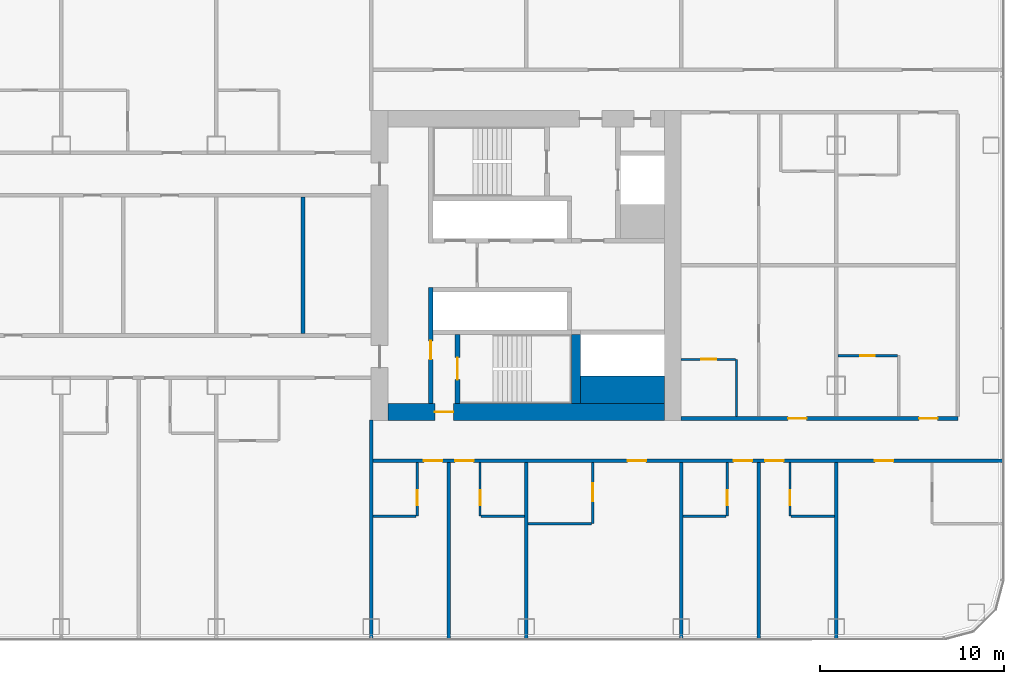
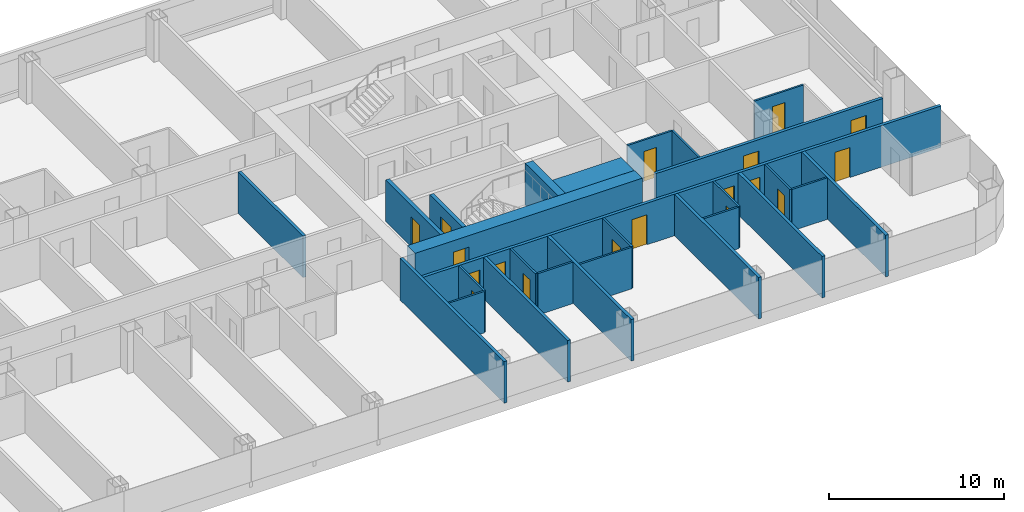
# One storey, part 18 of 29: 27 walls, 18 doors, 18 openings.
"""IFC4 building model written with IfcOpenShell, lengths in metres."""

from ifc_helpers import new_model, si_unit, direction, frame, frame_2d, origin, place, context, subcontext, project, spatial, rectangle, extrude, material, layer, layer_set, type_object, element, fill, save


model = new_model("IFC4")

# Units and contexts
model_context = context("Model", 3, precision=1e-05, world=origin(), true_north=direction((0.0, 1.0)))
body_context = subcontext(model_context, "Body", "Model", "MODEL_VIEW")
ifc_project = project(units=[si_unit("LENGTHUNIT", "METRE"), si_unit("AREAUNIT", "SQUARE_METRE"), si_unit("VOLUMEUNIT", "CUBIC_METRE"), si_unit("PLANEANGLEUNIT", "RADIAN"), si_unit("MASSUNIT", "GRAM", prefix="KILO")], contexts=[model_context])

# Site, building, storey
site_placement = place(None, origin())
site = spatial("IfcSite", under=ifc_project, at=site_placement, CompositionType="ELEMENT")
building_placement = place(site_placement, origin())
building = spatial("IfcBuilding", under=site, at=building_placement, Name="Hakoniwa Tower and Hamabe Station Hall", CompositionType="ELEMENT")
storey_placement = place(building_placement, frame((0.0, 0.0, 61.39990234375)))
storey = spatial("IfcBuildingStorey", under=building, at=storey_placement, Name="L17", CompositionType="ELEMENT", Elevation=61.39990234375)

# Walls
ifc_material_1 = material(Name="Gypsum board partition", Category="gypsum")
ifc_layer_1 = layer(ifc_material_1, 0.125)
ifc_layer_set_1 = layer_set([ifc_layer_1], Name="Bathroom Partition 125")
wall_type_1 = type_object("IfcWallType", Name="Bathroom Partition 125", PredefinedType="PARTITIONING", material=ifc_layer_set_1)
wall_1_placement = place(storey_placement, frame((25.300048828125, -14.0, 0.0), z_axis=(0.0, 0.0, 1.0), x_axis=(1.0, 0.0, 0.0)))
element("IfcWall", 1, at=wall_1_placement, inside=storey, type_object=wall_type_1, Name="GW-L17-003", PredefinedType="PARTITIONING", context=body_context, shape_type="SweptSolid", body=[
    extrude(rectangle(XDim=3.4375, YDim=0.125, at=frame_2d((1.71875, 0.0))), origin(), (0.0, 0.0, 1.0), 2.900146484375),
])
for number, where, z_axis, x_axis, name in (
    (2, (16.89990234375, -13.60009765625, 0.0), (0.0, 0.0, 1.0), (1.0, 0.0, 0.0), "GW-L17-009"),
    (3, (22.762451171875, -13.60009765625, 0.0), (0.0, 0.0, 1.0), (1.0, 0.0, 0.0), "GW-L17-010"),
    (4, (33.699951171875, -13.60009765625, 0.0), (0.0, 0.0, 1.0), (1.0, 0.0, 0.0), "GW-L17-011"),
):
    element("IfcWall", number, at=place(storey_placement, frame(where, z_axis=z_axis, x_axis=x_axis)), inside=storey, type_object=wall_type_1, Name=name, PredefinedType="PARTITIONING", context=body_context, shape_type="SweptSolid", body=[
        extrude(rectangle(XDim=2.337646484375, YDim=0.125, at=frame_2d((1.1689453125, 0.0))), origin(), (0.0, 0.0, 1.0), 2.900146484375),
    ])
wall_2_placement = place(storey_placement, frame((39.5625, -13.60009765625, 0.0), z_axis=(0.0, 0.0, 1.0), x_axis=(1.0, 0.0, 0.0)))
element("IfcWall", 5, at=wall_2_placement, inside=storey, type_object=wall_type_1, Name="GW-L17-012", PredefinedType="PARTITIONING", context=body_context, shape_type="SweptSolid", body=[
    extrude(rectangle(XDim=2.33740234375, YDim=0.125, at=frame_2d((1.168701171875, 0.0))), origin(), (0.0, 0.0, 1.0), 2.900146484375),
])

# Wall, opening, door
wall_3_placement = place(storey_placement, frame((33.60009765625, -5.10009765625, 0.0), z_axis=(0.0, 0.0, 1.0), x_axis=(1.0, 0.0, 0.0)))
wall_3 = element("IfcWall", 6, at=wall_3_placement, inside=storey, type_object=wall_type_1, Name="GW-L17-024", PredefinedType="PARTITIONING", context=body_context, shape_type="SweptSolid", body=[
    extrude(rectangle(XDim=2.9375, YDim=0.125, at=frame_2d((1.46875, 0.0))), origin(), (0.0, 0.0, 1.0), 2.900146484375),
])
opening_1_placement = place(wall_3_placement, frame((1.10009765625, 0.0, 0.0)))
opening_1 = element("IfcOpeningElement", 7, at=opening_1_placement, cuts=wall_3, Name="Opening GD-G1D2-27", PredefinedType="OPENING", context=body_context, shape_type="SweptSolid", body=[
    extrude(rectangle(XDim=0.800048828125, YDim=2.10009765625, at=frame_2d((0.39990234375, 1.050048828125))), frame((0.0, 0.072509765625, 0.0), z_axis=(0.0, -1.0, 0.0), x_axis=(1.0, 0.0, 0.0)), (0.0, 0.0, 1.0), 0.14501953125),
])
ifc_material_2 = material(Name="Timber door leaf", Category="wood")
door_type_1 = type_object("IfcDoorType", Name="Bathroom Door 800", OperationType="SINGLE_SWING_LEFT", PredefinedType="DOOR", material=ifc_material_2)
door_1_placement = place(opening_1_placement, origin())
door_1 = element("IfcDoor", 8, at=door_1_placement, inside=storey, type_object=door_type_1, Name="Door GD-G1D2-27", OperationType="SINGLE_SWING_RIGHT", OverallHeight=2.10009765625, OverallWidth=0.800048828125, PredefinedType="DOOR", context=body_context, shape_type="SweptSolid", body=[
    extrude(rectangle(XDim=0.800048828125, YDim=2.10009765625, at=frame_2d((0.39990234375, 1.050048828125))), frame((0.0, 0.02490234375, 0.0), z_axis=(0.0, -1.0, 0.0), x_axis=(1.0, 0.0, 0.0)), (0.0, 0.0, 1.0), 0.050048828125),
])
fill(opening_1, door_1)

wall_4_placement = place(storey_placement, frame((42.10009765625, -4.89990234375, 0.0), z_axis=(0.0, 0.0, 1.0), x_axis=(1.0, 0.0, 0.0)))
wall_4 = element("IfcWall", 9, at=wall_4_placement, inside=storey, type_object=wall_type_1, Name="GW-L17-026", PredefinedType="PARTITIONING", context=body_context, shape_type="SweptSolid", body=[
    extrude(rectangle(XDim=3.2373046875, YDim=0.125, at=frame_2d((1.61865234375, 0.0))), origin(), (0.0, 0.0, 1.0), 2.900146484375),
])
opening_2_placement = place(wall_4_placement, frame((1.199951171875, 0.0, 0.0)))
opening_2 = element("IfcOpeningElement", 10, at=opening_2_placement, cuts=wall_4, Name="Opening GD-G1D2-29", PredefinedType="OPENING", context=body_context, shape_type="SweptSolid", body=[
    extrude(rectangle(XDim=0.800048828125, YDim=2.10009765625, at=frame_2d((0.39990234375, 1.050048828125))), frame((0.0, 0.072509765625, 0.0), z_axis=(0.0, -1.0, 0.0), x_axis=(1.0, 0.0, 0.0)), (0.0, 0.0, 1.0), 0.14501953125),
])
door_2_placement = place(opening_2_placement, origin())
door_2 = element("IfcDoor", 11, at=door_2_placement, inside=storey, type_object=door_type_1, Name="Door GD-G1D2-29", OperationType="SINGLE_SWING_RIGHT", OverallHeight=2.10009765625, OverallWidth=0.800048828125, PredefinedType="DOOR", context=body_context, shape_type="SweptSolid", body=[
    extrude(rectangle(XDim=0.800048828125, YDim=2.10009765625, at=frame_2d((0.39990234375, 1.050048828125))), frame((0.0, 0.02490234375, 0.0), z_axis=(0.0, -1.0, 0.0), x_axis=(1.0, 0.0, 0.0)), (0.0, 0.0, 1.0), 0.050048828125),
])
fill(opening_2, door_2)

wall_5_placement = place(storey_placement, frame((19.300048828125, -13.60009765625, 0.0), z_axis=(0.0, 0.0, 1.0), x_axis=(0.0, 1.0, 0.0)))
wall_5 = element("IfcWall", 12, at=wall_5_placement, inside=storey, type_object=wall_type_1, Name="GW-L17-098", PredefinedType="PARTITIONING", context=body_context, shape_type="SweptSolid", body=[
    extrude(rectangle(XDim=2.900146484375, YDim=0.125, at=frame_2d((1.4501953125, 0.0))), origin(), (0.0, 0.0, 1.0), 2.900146484375),
])
opening_3_placement = place(wall_5_placement, frame((0.60009765625, 0.0, 0.0)))
opening_3 = element("IfcOpeningElement", 13, at=opening_3_placement, cuts=wall_5, Name="Opening GD-G1D2-76", PredefinedType="OPENING", context=body_context, shape_type="SweptSolid", body=[
    extrude(rectangle(XDim=0.800048828125, YDim=2.10009765625, at=frame_2d((0.39990234375, 1.050048828125))), frame((0.0, 0.072509765625, 0.0), z_axis=(0.0, -1.0, 0.0), x_axis=(1.0, 0.0, 0.0)), (0.0, 0.0, 1.0), 0.14501953125),
])
door_3_placement = place(opening_3_placement, origin())
door_3 = element("IfcDoor", 14, at=door_3_placement, inside=storey, type_object=door_type_1, Name="Door GD-G1D2-76", OperationType="SINGLE_SWING_RIGHT", OverallHeight=2.10009765625, OverallWidth=0.800048828125, PredefinedType="DOOR", context=body_context, shape_type="SweptSolid", body=[
    extrude(rectangle(XDim=0.800048828125, YDim=2.10009765625, at=frame_2d((0.39990234375, 1.050048828125))), frame((0.0, 0.02490234375, 0.0), z_axis=(0.0, -1.0, 0.0), x_axis=(1.0, 0.0, 0.0)), (0.0, 0.0, 1.0), 0.050048828125),
])
fill(opening_3, door_3)

wall_6_placement = place(storey_placement, frame((22.699951171875, -13.60009765625, 0.0), z_axis=(0.0, 0.0, 1.0), x_axis=(0.0, 1.0, 0.0)))
wall_6 = element("IfcWall", 15, at=wall_6_placement, inside=storey, type_object=wall_type_1, Name="GW-L17-100", PredefinedType="PARTITIONING", context=body_context, shape_type="SweptSolid", body=[
    extrude(rectangle(XDim=2.900146484375, YDim=0.125, at=frame_2d((1.4501953125, 0.0))), origin(), (0.0, 0.0, 1.0), 2.900146484375),
])
opening_4_placement = place(wall_6_placement, frame((0.60009765625, 0.0, 0.0)))
opening_4 = element("IfcOpeningElement", 16, at=opening_4_placement, cuts=wall_6, Name="Opening GD-G1D2-77", PredefinedType="OPENING", context=body_context, shape_type="SweptSolid", body=[
    extrude(rectangle(XDim=0.800048828125, YDim=2.10009765625, at=frame_2d((0.39990234375, 1.050048828125))), frame((0.0, 0.072509765625, 0.0), z_axis=(0.0, -1.0, 0.0), x_axis=(1.0, 0.0, 0.0)), (0.0, 0.0, 1.0), 0.14501953125),
])
door_4_placement = place(opening_4_placement, origin())
door_4 = element("IfcDoor", 17, at=door_4_placement, inside=storey, type_object=door_type_1, Name="Door GD-G1D2-77", OperationType="SINGLE_SWING_LEFT", OverallHeight=2.10009765625, OverallWidth=0.800048828125, PredefinedType="DOOR", context=body_context, shape_type="SweptSolid", body=[
    extrude(rectangle(XDim=0.800048828125, YDim=2.10009765625, at=frame_2d((0.39990234375, 1.050048828125))), frame((0.0, 0.02490234375, 0.0), z_axis=(0.0, -1.0, 0.0), x_axis=(1.0, 0.0, 0.0)), (0.0, 0.0, 1.0), 0.050048828125),
])
fill(opening_4, door_4)

wall_7_placement = place(storey_placement, frame((28.800048828125, -14.0, 0.0), z_axis=(0.0, 0.0, 1.0), x_axis=(0.0, 1.0, 0.0)))
wall_7 = element("IfcWall", 18, at=wall_7_placement, inside=storey, type_object=wall_type_1, Name="GW-L17-103", PredefinedType="PARTITIONING", context=body_context, shape_type="SweptSolid", body=[
    extrude(rectangle(XDim=3.300048828125, YDim=0.125, at=frame_2d((1.64990234375, 0.0))), origin(), (0.0, 0.0, 1.0), 2.900146484375),
])
opening_5_placement = place(wall_7_placement, frame((1.199951171875, 0.0, 0.0)))
opening_5 = element("IfcOpeningElement", 19, at=opening_5_placement, cuts=wall_7, Name="Opening GD-G1D2-78", PredefinedType="OPENING", context=body_context, shape_type="SweptSolid", body=[
    extrude(rectangle(XDim=1.0, YDim=2.10009765625, at=frame_2d((0.5, 1.050048828125))), frame((0.0, 0.072509765625, 0.0), z_axis=(0.0, -1.0, 0.0), x_axis=(1.0, 0.0, 0.0)), (0.0, 0.0, 1.0), 0.14501953125),
])
ifc_material_3 = material(Name="Timber door leaf", Category="wood")
door_type_2 = type_object("IfcDoorType", Name="Accessible Bathroom Door 1000", OperationType="SINGLE_SWING_LEFT", PredefinedType="DOOR", material=ifc_material_3)
door_5_placement = place(opening_5_placement, origin())
door_5 = element("IfcDoor", 20, at=door_5_placement, inside=storey, type_object=door_type_2, Name="Door GD-G1D2-78", OperationType="SINGLE_SWING_LEFT", OverallHeight=2.10009765625, OverallWidth=1.0, PredefinedType="DOOR", context=body_context, shape_type="SweptSolid", body=[
    extrude(rectangle(XDim=1.0, YDim=2.10009765625, at=frame_2d((0.5, 1.050048828125))), frame((0.0, 0.02490234375, 0.0), z_axis=(0.0, -1.0, 0.0), x_axis=(1.0, 0.0, 0.0)), (0.0, 0.0, 1.0), 0.050048828125),
])
fill(opening_5, door_5)

wall_8_placement = place(storey_placement, frame((36.10009765625, -13.60009765625, 0.0), z_axis=(0.0, 0.0, 1.0), x_axis=(0.0, 1.0, 0.0)))
wall_8 = element("IfcWall", 21, at=wall_8_placement, inside=storey, type_object=wall_type_1, Name="GW-L17-106", PredefinedType="PARTITIONING", context=body_context, shape_type="SweptSolid", body=[
    extrude(rectangle(XDim=2.900146484375, YDim=0.125, at=frame_2d((1.4501953125, 0.0))), origin(), (0.0, 0.0, 1.0), 2.900146484375),
])
opening_6_placement = place(wall_8_placement, frame((0.60009765625, 0.0, 0.0)))
opening_6 = element("IfcOpeningElement", 22, at=opening_6_placement, cuts=wall_8, Name="Opening GD-G1D2-79", PredefinedType="OPENING", context=body_context, shape_type="SweptSolid", body=[
    extrude(rectangle(XDim=0.800048828125, YDim=2.10009765625, at=frame_2d((0.39990234375, 1.050048828125))), frame((0.0, 0.072509765625, 0.0), z_axis=(0.0, -1.0, 0.0), x_axis=(1.0, 0.0, 0.0)), (0.0, 0.0, 1.0), 0.14501953125),
])
door_6_placement = place(opening_6_placement, origin())
door_6 = element("IfcDoor", 23, at=door_6_placement, inside=storey, type_object=door_type_1, Name="Door GD-G1D2-79", OperationType="SINGLE_SWING_RIGHT", OverallHeight=2.10009765625, OverallWidth=0.800048828125, PredefinedType="DOOR", context=body_context, shape_type="SweptSolid", body=[
    extrude(rectangle(XDim=0.800048828125, YDim=2.10009765625, at=frame_2d((0.39990234375, 1.050048828125))), frame((0.0, 0.02490234375, 0.0), z_axis=(0.0, -1.0, 0.0), x_axis=(1.0, 0.0, 0.0)), (0.0, 0.0, 1.0), 0.050048828125),
])
fill(opening_6, door_6)

# Wall
wall_9_placement = place(storey_placement, frame((36.60009765625, -8.199951171875, 0.0), z_axis=(0.0, 0.0, 1.0), x_axis=(0.0, 1.0, 0.0)))
element("IfcWall", 24, at=wall_9_placement, inside=storey, type_object=wall_type_1, Name="GW-L17-107", PredefinedType="PARTITIONING", context=body_context, shape_type="SweptSolid", body=[
    extrude(rectangle(XDim=3.099853515625, YDim=0.125, at=frame_2d((1.5498046875, 0.0))), origin(), (0.0, 0.0, 1.0), 2.900146484375),
])

# Wall, opening, door
wall_10_placement = place(storey_placement, frame((39.5, -13.60009765625, 0.0), z_axis=(0.0, 0.0, 1.0), x_axis=(0.0, 1.0, 0.0)))
wall_10 = element("IfcWall", 25, at=wall_10_placement, inside=storey, type_object=wall_type_1, Name="GW-L17-111", PredefinedType="PARTITIONING", context=body_context, shape_type="SweptSolid", body=[
    extrude(rectangle(XDim=2.900146484375, YDim=0.125, at=frame_2d((1.4501953125, 0.0))), origin(), (0.0, 0.0, 1.0), 2.900146484375),
])
opening_7_placement = place(wall_10_placement, frame((0.60009765625, 0.0, 0.0)))
opening_7 = element("IfcOpeningElement", 26, at=opening_7_placement, cuts=wall_10, Name="Opening GD-G1D2-82", PredefinedType="OPENING", context=body_context, shape_type="SweptSolid", body=[
    extrude(rectangle(XDim=0.800048828125, YDim=2.10009765625, at=frame_2d((0.39990234375, 1.050048828125))), frame((0.0, 0.072509765625, 0.0), z_axis=(0.0, -1.0, 0.0), x_axis=(1.0, 0.0, 0.0)), (0.0, 0.0, 1.0), 0.14501953125),
])
door_7_placement = place(opening_7_placement, origin())
door_7 = element("IfcDoor", 27, at=door_7_placement, inside=storey, type_object=door_type_1, Name="Door GD-G1D2-82", OperationType="SINGLE_SWING_LEFT", OverallHeight=2.10009765625, OverallWidth=0.800048828125, PredefinedType="DOOR", context=body_context, shape_type="SweptSolid", body=[
    extrude(rectangle(XDim=0.800048828125, YDim=2.10009765625, at=frame_2d((0.39990234375, 1.050048828125))), frame((0.0, 0.02490234375, 0.0), z_axis=(0.0, -1.0, 0.0), x_axis=(1.0, 0.0, 0.0)), (0.0, 0.0, 1.0), 0.050048828125),
])
fill(opening_7, door_7)

ifc_material_4 = material(Name="Concrete C80", Category="concrete")
ifc_layer_2 = layer(ifc_material_4, 0.89990234375)
ifc_layer_set_2 = layer_set([ifc_layer_2], Name="CORE WALL 900 C80")
wall_type_2 = type_object("IfcWallType", Name="CORE WALL 900 C80", PredefinedType="SHEAR", material=ifc_layer_set_2)
wall_11_placement = place(storey_placement, frame((17.699951171875, -7.949951171875, 0.0), z_axis=(0.0, 0.0, 1.0), x_axis=(1.0, 0.0, 0.0)))
wall_11 = element("IfcWall", 28, at=wall_11_placement, inside=storey, type_object=wall_type_2, Name="Core wall SOUTH east", PredefinedType="SHEAR", context=body_context, shape_type="SweptSolid", body=[
    extrude(rectangle(XDim=15.0, YDim=0.89990234375, at=frame_2d((7.5, 0.0))), origin(), (0.0, 0.0, 1.0), 2.900146484375),
])
opening_8_placement = place(wall_11_placement, frame((2.550048828125, 0.0, 0.0)))
opening_8 = element("IfcOpeningElement", 29, at=opening_8_placement, cuts=wall_11, Name="Opening CD-E-FS3-10", PredefinedType="OPENING", context=body_context, shape_type="SweptSolid", body=[
    extrude(rectangle(XDim=1.0, YDim=2.10009765625, at=frame_2d((0.5, 1.050048828125))), frame((0.0, 0.4599609375, 0.0), z_axis=(0.0, -1.0, 0.0), x_axis=(1.0, 0.0, 0.0)), (0.0, 0.0, 1.0), 0.919921875),
])
ifc_material_5 = material(Name="Steel fire door", Category="steel")
door_type_3 = type_object("IfcDoorType", Name="CORE DOOR 1000 FD60", OperationType="NOTDEFINED", PredefinedType="DOOR", material=ifc_material_5)
door_8_placement = place(opening_8_placement, origin())
door_8 = element("IfcDoor", 30, at=door_8_placement, inside=storey, type_object=door_type_3, Name="Stair vestibule door", OperationType="SINGLE_SWING_LEFT", OverallHeight=2.10009765625, OverallWidth=1.0, PredefinedType="DOOR", context=body_context, shape_type="SweptSolid", body=[
    extrude(rectangle(XDim=1.0, YDim=2.10009765625, at=frame_2d((0.5, 1.050048828125))), frame((0.0, 0.02490234375, 0.0), z_axis=(0.0, -1.0, 0.0), x_axis=(1.0, 0.0, 0.0)), (0.0, 0.0, 1.0), 0.050048828125),
])
fill(opening_8, door_8)

# Wall
ifc_material_6 = material(Name="Concrete C80", Category="concrete")
ifc_layer_3 = layer(ifc_material_6, 1.5)
ifc_layer_set_3 = layer_set([ifc_layer_3], Name="CORE WEB WALL 1500 C80")
wall_type_3 = type_object("IfcWallType", Name="CORE WEB WALL 1500 C80", PredefinedType="SHEAR", material=ifc_layer_set_3)
wall_12_placement = place(storey_placement, frame((28.14990234375, -6.75, 0.0), z_axis=(0.0, 0.0, 1.0), x_axis=(1.0, 0.0, 0.0)))
element("IfcWall", 31, at=wall_12_placement, inside=storey, type_object=wall_type_3, Name="Core wall SER east", PredefinedType="SHEAR", context=body_context, shape_type="SweptSolid", body=[
    extrude(rectangle(XDim=4.550048828125, YDim=1.5, at=frame_2d((2.27490234375, 0.0))), origin(), (0.0, 0.0, 1.0), 2.900146484375),
])

# Wall, opening, door
ifc_material_7 = material(Name="Concrete C80", Category="concrete")
ifc_layer_4 = layer(ifc_material_7, 0.25)
ifc_layer_set_4 = layer_set([ifc_layer_4], Name="CORE WEB WALL 250 C80")
wall_type_4 = type_object("IfcWallType", Name="CORE WEB WALL 250 C80", PredefinedType="SHEAR", material=ifc_layer_set_4)
wall_13_placement = place(storey_placement, frame((20.02490234375, -7.5, 0.0), z_axis=(0.0, 0.0, 1.0), x_axis=(0.0, 1.0, 0.0)))
wall_13 = element("IfcWall", 32, at=wall_13_placement, inside=storey, type_object=wall_type_4, Name="Core wall W1S east", PredefinedType="SHEAR", context=body_context, shape_type="SweptSolid", body=[
    extrude(rectangle(XDim=6.300048828125, YDim=0.25, at=frame_2d((3.14990234375, 0.0))), origin(), (0.0, 0.0, 1.0), 2.900146484375),
])
opening_9_placement = place(wall_13_placement, frame((2.39990234375, 0.0, 0.0)))
opening_9 = element("IfcOpeningElement", 33, at=opening_9_placement, cuts=wall_13, Name="Opening CD-E-VS-10", PredefinedType="OPENING", context=body_context, shape_type="SweptSolid", body=[
    extrude(rectangle(XDim=1.0, YDim=2.10009765625, at=frame_2d((0.5, 1.050048828125))), frame((0.0, 0.135009765625, 0.0), z_axis=(0.0, -1.0, 0.0), x_axis=(1.0, 0.0, 0.0)), (0.0, 0.0, 1.0), 0.27001953125),
])
door_9_placement = place(opening_9_placement, origin())
door_9 = element("IfcDoor", 34, at=door_9_placement, inside=storey, type_object=door_type_3, Name="Stair vestibule door", OperationType="SINGLE_SWING_RIGHT", OverallHeight=2.10009765625, OverallWidth=1.0, PredefinedType="DOOR", context=body_context, shape_type="SweptSolid", body=[
    extrude(rectangle(XDim=1.0, YDim=2.10009765625, at=frame_2d((0.5, 1.050048828125))), frame((0.0, 0.02490234375, 0.0), z_axis=(0.0, -1.0, 0.0), x_axis=(1.0, 0.0, 0.0)), (0.0, 0.0, 1.0), 0.050048828125),
])
fill(opening_9, door_9)

wall_14_placement = place(storey_placement, frame((21.47509765625, -7.5, 0.0), z_axis=(0.0, 0.0, 1.0), x_axis=(0.0, 1.0, 0.0)))
wall_14 = element("IfcWall", 35, at=wall_14_placement, inside=storey, type_object=wall_type_4, Name="Core wall VE east", PredefinedType="SHEAR", context=body_context, shape_type="SweptSolid", body=[
    extrude(rectangle(XDim=3.75, YDim=0.25, at=frame_2d((1.875, 0.0))), origin(), (0.0, 0.0, 1.0), 2.900146484375),
])
opening_10_placement = place(wall_14_placement, frame((1.300048828125, 0.0, 0.0)))
opening_10 = element("IfcOpeningElement", 36, at=opening_10_placement, cuts=wall_14, Name="Opening CD-E-SS-12", PredefinedType="OPENING", context=body_context, shape_type="SweptSolid", body=[
    extrude(rectangle(XDim=1.199951171875, YDim=2.10009765625, at=frame_2d((0.60009765625, 1.050048828125))), frame((0.0, 0.135009765625, 0.0), z_axis=(0.0, -1.0, 0.0), x_axis=(1.0, 0.0, 0.0)), (0.0, 0.0, 1.0), 0.27001953125),
])
ifc_material_8 = material(Name="Steel fire door", Category="steel")
door_type_4 = type_object("IfcDoorType", Name="CORE DOOR 1200 FD60", OperationType="DOUBLE_DOOR_SINGLE_SWING", PredefinedType="DOOR", material=ifc_material_8)
door_10_placement = place(opening_10_placement, origin())
door_10 = element("IfcDoor", 37, at=door_10_placement, inside=storey, type_object=door_type_4, Name="Escape stair door", OperationType="DOUBLE_DOOR_SINGLE_SWING", OverallHeight=2.10009765625, OverallWidth=1.199951171875, PredefinedType="DOOR", context=body_context, shape_type="SweptSolid", body=[
    extrude(rectangle(XDim=1.199951171875, YDim=2.10009765625, at=frame_2d((0.60009765625, 1.050048828125))), frame((0.0, 0.02490234375, 0.0), z_axis=(0.0, -1.0, 0.0), x_axis=(1.0, 0.0, 0.0)), (0.0, 0.0, 1.0), 0.050048828125),
])
fill(opening_10, door_10)

# Wall
ifc_material_9 = material(Name="Concrete C80", Category="concrete")
ifc_layer_5 = layer(ifc_material_9, 0.5)
ifc_layer_set_5 = layer_set([ifc_layer_5], Name="CORE WEB WALL 500 C80")
wall_type_5 = type_object("IfcWallType", Name="CORE WEB WALL 500 C80", PredefinedType="SHEAR", material=ifc_layer_set_5)
wall_15_placement = place(storey_placement, frame((27.89990234375, -7.5, 0.0), z_axis=(0.0, 0.0, 1.0), x_axis=(0.0, 1.0, 0.0)))
element("IfcWall", 38, at=wall_15_placement, inside=storey, type_object=wall_type_5, Name="Core wall SSE east", PredefinedType="SHEAR", context=body_context, shape_type="SweptSolid", body=[
    extrude(rectangle(XDim=3.75, YDim=0.5, at=frame_2d((1.875, 0.0))), origin(), (0.0, 0.0, 1.0), 2.900146484375),
])

# Wall, openings, doors
ifc_material_10 = material(Name="Fire-rated gypsum board partition", Category="gypsum")
ifc_layer_6 = layer(ifc_material_10, 0.199951171875)
ifc_layer_set_6 = layer_set([ifc_layer_6], Name="Corridor Wall 200")
wall_type_6 = type_object("IfcWallType", Name="Corridor Wall 200", PredefinedType="PARTITIONING", material=ifc_layer_set_6)
wall_16_placement = place(storey_placement, frame((16.800048828125, -10.60009765625, 0.0), z_axis=(0.0, 0.0, 1.0), x_axis=(1.0, 0.0, 0.0)))
wall_16 = element("IfcWall", 39, at=wall_16_placement, inside=storey, type_object=wall_type_6, Name="GW-L17-014", PredefinedType="PARTITIONING", context=body_context, shape_type="SweptSolid", body=[
    extrude(rectangle(XDim=34.300048828125, YDim=0.199951171875, at=frame_2d((17.14990234375, 0.0))), origin(), (0.0, 0.0, 1.0), 2.900146484375),
])
opening_11_placement = place(wall_16_placement, frame((2.85009765625, 0.0, 0.0)))
opening_11 = element("IfcOpeningElement", 40, at=opening_11_placement, cuts=wall_16, Name="Opening GD-G1D2-09", PredefinedType="OPENING", context=body_context, shape_type="SweptSolid", body=[
    extrude(rectangle(XDim=1.0, YDim=2.10009765625, at=frame_2d((0.5, 1.050048828125))), frame((0.0, 0.10986328125, 0.0), z_axis=(0.0, -1.0, 0.0), x_axis=(1.0, 0.0, 0.0)), (0.0, 0.0, 1.0), 0.219970703125),
])
opening_12_placement = place(wall_16_placement, frame((4.550048828125, 0.0, 0.0)))
opening_12 = element("IfcOpeningElement", 41, at=opening_12_placement, cuts=wall_16, Name="Opening GD-G1D2-10", PredefinedType="OPENING", context=body_context, shape_type="SweptSolid", body=[
    extrude(rectangle(XDim=1.0, YDim=2.10009765625, at=frame_2d((0.5, 1.050048828125))), frame((0.0, 0.10986328125, 0.0), z_axis=(0.0, -1.0, 0.0), x_axis=(1.0, 0.0, 0.0)), (0.0, 0.0, 1.0), 0.219970703125),
])
opening_13_placement = place(wall_16_placement, frame((13.89990234375, 0.0, 0.0)))
opening_13 = element("IfcOpeningElement", 42, at=opening_13_placement, cuts=wall_16, Name="Opening GD-G1D2-11", PredefinedType="OPENING", context=body_context, shape_type="SweptSolid", body=[
    extrude(rectangle(XDim=1.0, YDim=2.10009765625, at=frame_2d((0.5, 1.050048828125))), frame((0.0, 0.10986328125, 0.0), z_axis=(0.0, -1.0, 0.0), x_axis=(1.0, 0.0, 0.0)), (0.0, 0.0, 1.0), 0.219970703125),
])
opening_14_placement = place(wall_16_placement, frame((19.64990234375, 0.0, 0.0)))
opening_14 = element("IfcOpeningElement", 43, at=opening_14_placement, cuts=wall_16, Name="Opening GD-G1D2-12", PredefinedType="OPENING", context=body_context, shape_type="SweptSolid", body=[
    extrude(rectangle(XDim=1.0, YDim=2.10009765625, at=frame_2d((0.5, 1.050048828125))), frame((0.0, 0.10986328125, 0.0), z_axis=(0.0, -1.0, 0.0), x_axis=(1.0, 0.0, 0.0)), (0.0, 0.0, 1.0), 0.219970703125),
])
opening_15_placement = place(wall_16_placement, frame((21.35009765625, 0.0, 0.0)))
opening_15 = element("IfcOpeningElement", 44, at=opening_15_placement, cuts=wall_16, Name="Opening GD-G1D2-13", PredefinedType="OPENING", context=body_context, shape_type="SweptSolid", body=[
    extrude(rectangle(XDim=1.0, YDim=2.10009765625, at=frame_2d((0.5, 1.050048828125))), frame((0.0, 0.10986328125, 0.0), z_axis=(0.0, -1.0, 0.0), x_axis=(1.0, 0.0, 0.0)), (0.0, 0.0, 1.0), 0.219970703125),
])
opening_16_placement = place(wall_16_placement, frame((27.300048828125, 0.0, 0.0)))
opening_16 = element("IfcOpeningElement", 45, at=opening_16_placement, cuts=wall_16, Name="Opening GD-G1D2-14", PredefinedType="OPENING", context=body_context, shape_type="SweptSolid", body=[
    extrude(rectangle(XDim=1.0, YDim=2.10009765625, at=frame_2d((0.5, 1.050048828125))), frame((0.0, 0.10986328125, 0.0), z_axis=(0.0, -1.0, 0.0), x_axis=(1.0, 0.0, 0.0)), (0.0, 0.0, 1.0), 0.219970703125),
])
ifc_material_11 = material(Name="Timber door leaf", Category="wood")
door_type_5 = type_object("IfcDoorType", Name="Accessible Guest Entrance Door 1000", OperationType="SINGLE_SWING_LEFT", PredefinedType="DOOR", material=ifc_material_11)
door_11_placement = place(opening_13_placement, origin())
door_11 = element("IfcDoor", 46, at=door_11_placement, inside=storey, type_object=door_type_5, Name="Door GD-G1D2-11", OperationType="SINGLE_SWING_LEFT", OverallHeight=2.10009765625, OverallWidth=1.0, PredefinedType="DOOR", context=body_context, shape_type="SweptSolid", body=[
    extrude(rectangle(XDim=1.0, YDim=2.10009765625, at=frame_2d((0.5, 1.050048828125))), frame((0.0, 0.02490234375, 0.0), z_axis=(0.0, -1.0, 0.0), x_axis=(1.0, 0.0, 0.0)), (0.0, 0.0, 1.0), 0.050048828125),
])
fill(opening_13, door_11)
door_12_placement = place(opening_16_placement, origin())
door_12 = element("IfcDoor", 47, at=door_12_placement, inside=storey, type_object=door_type_5, Name="Door GD-G1D2-14", OperationType="SINGLE_SWING_RIGHT", OverallHeight=2.10009765625, OverallWidth=1.0, PredefinedType="DOOR", context=body_context, shape_type="SweptSolid", body=[
    extrude(rectangle(XDim=1.0, YDim=2.10009765625, at=frame_2d((0.5, 1.050048828125))), frame((0.0, 0.02490234375, 0.0), z_axis=(0.0, -1.0, 0.0), x_axis=(1.0, 0.0, 0.0)), (0.0, 0.0, 1.0), 0.050048828125),
])
fill(opening_16, door_12)
ifc_material_12 = material(Name="Timber door leaf", Category="wood")
door_type_6 = type_object("IfcDoorType", Name="Guest Entrance Door 1000", OperationType="SINGLE_SWING_LEFT", PredefinedType="DOOR", material=ifc_material_12)
door_13_placement = place(opening_11_placement, origin())
door_13 = element("IfcDoor", 48, at=door_13_placement, inside=storey, type_object=door_type_6, Name="Door GD-G1D2-09", OperationType="SINGLE_SWING_RIGHT", OverallHeight=2.10009765625, OverallWidth=1.0, PredefinedType="DOOR", context=body_context, shape_type="SweptSolid", body=[
    extrude(rectangle(XDim=1.0, YDim=2.10009765625, at=frame_2d((0.5, 1.050048828125))), frame((0.0, 0.02490234375, 0.0), z_axis=(0.0, -1.0, 0.0), x_axis=(1.0, 0.0, 0.0)), (0.0, 0.0, 1.0), 0.050048828125),
])
fill(opening_11, door_13)
door_14_placement = place(opening_12_placement, origin())
door_14 = element("IfcDoor", 49, at=door_14_placement, inside=storey, type_object=door_type_6, Name="Door GD-G1D2-10", OperationType="SINGLE_SWING_RIGHT", OverallHeight=2.10009765625, OverallWidth=1.0, PredefinedType="DOOR", context=body_context, shape_type="SweptSolid", body=[
    extrude(rectangle(XDim=1.0, YDim=2.10009765625, at=frame_2d((0.5, 1.050048828125))), frame((0.0, 0.02490234375, 0.0), z_axis=(0.0, -1.0, 0.0), x_axis=(1.0, 0.0, 0.0)), (0.0, 0.0, 1.0), 0.050048828125),
])
fill(opening_12, door_14)
door_15_placement = place(opening_14_placement, origin())
door_15 = element("IfcDoor", 50, at=door_15_placement, inside=storey, type_object=door_type_6, Name="Door GD-G1D2-12", OperationType="SINGLE_SWING_RIGHT", OverallHeight=2.10009765625, OverallWidth=1.0, PredefinedType="DOOR", context=body_context, shape_type="SweptSolid", body=[
    extrude(rectangle(XDim=1.0, YDim=2.10009765625, at=frame_2d((0.5, 1.050048828125))), frame((0.0, 0.02490234375, 0.0), z_axis=(0.0, -1.0, 0.0), x_axis=(1.0, 0.0, 0.0)), (0.0, 0.0, 1.0), 0.050048828125),
])
fill(opening_14, door_15)
door_16_placement = place(opening_15_placement, origin())
door_16 = element("IfcDoor", 51, at=door_16_placement, inside=storey, type_object=door_type_6, Name="Door GD-G1D2-13", OperationType="SINGLE_SWING_LEFT", OverallHeight=2.10009765625, OverallWidth=1.0, PredefinedType="DOOR", context=body_context, shape_type="SweptSolid", body=[
    extrude(rectangle(XDim=1.0, YDim=2.10009765625, at=frame_2d((0.5, 1.050048828125))), frame((0.0, 0.02490234375, 0.0), z_axis=(0.0, -1.0, 0.0), x_axis=(1.0, 0.0, 0.0)), (0.0, 0.0, 1.0), 0.050048828125),
])
fill(opening_15, door_16)

wall_17_placement = place(storey_placement, frame((33.60009765625, -8.300048828125, 0.0), z_axis=(0.0, 0.0, 1.0), x_axis=(1.0, 0.0, 0.0)))
wall_17 = element("IfcWall", 52, at=wall_17_placement, inside=storey, type_object=wall_type_6, Name="GW-L17-021", PredefinedType="PARTITIONING", context=body_context, shape_type="SweptSolid", body=[
    extrude(rectangle(XDim=15.0, YDim=0.199951171875, at=frame_2d((7.5, 0.0))), origin(), (0.0, 0.0, 1.0), 2.900146484375),
])
opening_17_placement = place(wall_17_placement, frame((5.800048828125, 0.0, 0.0)))
opening_17 = element("IfcOpeningElement", 53, at=opening_17_placement, cuts=wall_17, Name="Opening GD-G1D2-18", PredefinedType="OPENING", context=body_context, shape_type="SweptSolid", body=[
    extrude(rectangle(XDim=1.0, YDim=2.10009765625, at=frame_2d((0.5, 1.050048828125))), frame((0.0, 0.10986328125, 0.0), z_axis=(0.0, -1.0, 0.0), x_axis=(1.0, 0.0, 0.0)), (0.0, 0.0, 1.0), 0.219970703125),
])
opening_18_placement = place(wall_17_placement, frame((12.89990234375, 0.0, 0.0)))
opening_18 = element("IfcOpeningElement", 54, at=opening_18_placement, cuts=wall_17, Name="Opening GD-G1D2-19", PredefinedType="OPENING", context=body_context, shape_type="SweptSolid", body=[
    extrude(rectangle(XDim=1.0, YDim=2.10009765625, at=frame_2d((0.5, 1.050048828125))), frame((0.0, 0.10986328125, 0.0), z_axis=(0.0, -1.0, 0.0), x_axis=(1.0, 0.0, 0.0)), (0.0, 0.0, 1.0), 0.219970703125),
])
door_17_placement = place(opening_17_placement, origin())
door_17 = element("IfcDoor", 55, at=door_17_placement, inside=storey, type_object=door_type_6, Name="Door GD-G1D2-18", OperationType="SINGLE_SWING_RIGHT", OverallHeight=2.10009765625, OverallWidth=1.0, PredefinedType="DOOR", context=body_context, shape_type="SweptSolid", body=[
    extrude(rectangle(XDim=1.0, YDim=2.10009765625, at=frame_2d((0.5, 1.050048828125))), frame((0.0, 0.02490234375, 0.0), z_axis=(0.0, -1.0, 0.0), x_axis=(1.0, 0.0, 0.0)), (0.0, 0.0, 1.0), 0.050048828125),
])
fill(opening_17, door_17)
door_18_placement = place(opening_18_placement, origin())
door_18 = element("IfcDoor", 56, at=door_18_placement, inside=storey, type_object=door_type_6, Name="Door GD-G1D2-19", OperationType="SINGLE_SWING_RIGHT", OverallHeight=2.10009765625, OverallWidth=1.0, PredefinedType="DOOR", context=body_context, shape_type="SweptSolid", body=[
    extrude(rectangle(XDim=1.0, YDim=2.10009765625, at=frame_2d((0.5, 1.050048828125))), frame((0.0, 0.02490234375, 0.0), z_axis=(0.0, -1.0, 0.0), x_axis=(1.0, 0.0, 0.0)), (0.0, 0.0, 1.0), 0.050048828125),
])
fill(opening_18, door_18)

# Walls
ifc_material_13 = material(Name="Fire-rated gypsum board partition", Category="gypsum")
ifc_layer_7 = layer(ifc_material_13, 0.199951171875)
ifc_layer_set_7 = layer_set([ifc_layer_7], Name="Party Wall 200")
wall_type_7 = type_object("IfcWallType", Name="Party Wall 200", PredefinedType="PARTITIONING", material=ifc_layer_set_7)
wall_18_placement = place(storey_placement, frame((13.10009765625, -3.699951171875, 0.0), z_axis=(0.0, 0.0, 1.0), x_axis=(0.0, 1.0, 0.0)))
element("IfcWall", 57, at=wall_18_placement, inside=storey, type_object=wall_type_7, Name="GW-L17-095", PredefinedType="PARTITIONING", context=body_context, shape_type="SweptSolid", body=[
    extrude(rectangle(XDim=7.39990234375, YDim=0.199951171875, at=frame_2d((3.699951171875, 0.0))), origin(), (0.0, 0.0, 1.0), 2.900146484375),
])
wall_19_placement = place(storey_placement, frame((16.800048828125, -20.300048828125, 0.0), z_axis=(0.0, 0.0, 1.0), x_axis=(0.0, 1.0, 0.0)))
element("IfcWall", 58, at=wall_19_placement, inside=storey, type_object=wall_type_7, Name="GW-L17-096", PredefinedType="PARTITIONING", context=body_context, shape_type="SweptSolid", body=[
    extrude(rectangle(XDim=11.91015625, YDim=0.199951171875, at=frame_2d((5.955078125, 0.0))), origin(), (0.0, 0.0, 1.0), 2.900146484375),
])
for number, where, z_axis, x_axis, name in (
    (59, (21.0, -20.300048828125, 0.0), (0.0, 0.0, 1.0), (0.0, 1.0, 0.0), "GW-L17-099"),
    (60, (25.199951171875, -20.300048828125, 0.0), (0.0, 0.0, 1.0), (0.0, 1.0, 0.0), "GW-L17-101"),
    (61, (33.60009765625, -20.300048828125, 0.0), (0.0, 0.0, 1.0), (0.0, 1.0, 0.0), "GW-L17-104"),
    (62, (37.800048828125, -20.300048828125, 0.0), (0.0, 0.0, 1.0), (0.0, 1.0, 0.0), "GW-L17-108"),
    (63, (42.0, -20.300048828125, 0.0), (0.0, 0.0, 1.0), (0.0, 1.0, 0.0), "GW-L17-112"),
):
    element("IfcWall", number, at=place(storey_placement, frame(where, z_axis=z_axis, x_axis=x_axis)), inside=storey, type_object=wall_type_7, Name=name, PredefinedType="PARTITIONING", context=body_context, shape_type="SweptSolid", body=[
        extrude(rectangle(XDim=9.60009765625, YDim=0.199951171875, at=frame_2d((4.800048828125, 0.0))), origin(), (0.0, 0.0, 1.0), 2.900146484375),
    ])

save(model, "model.ifc")
